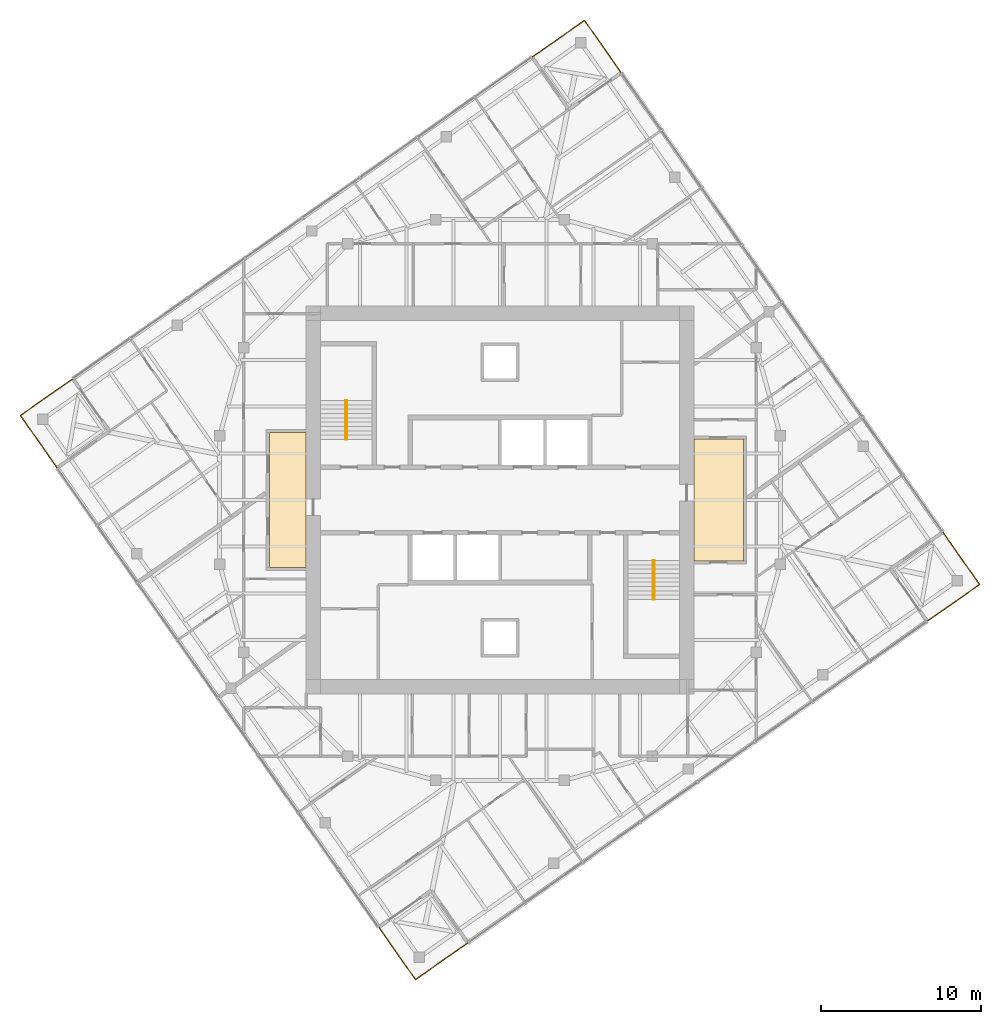
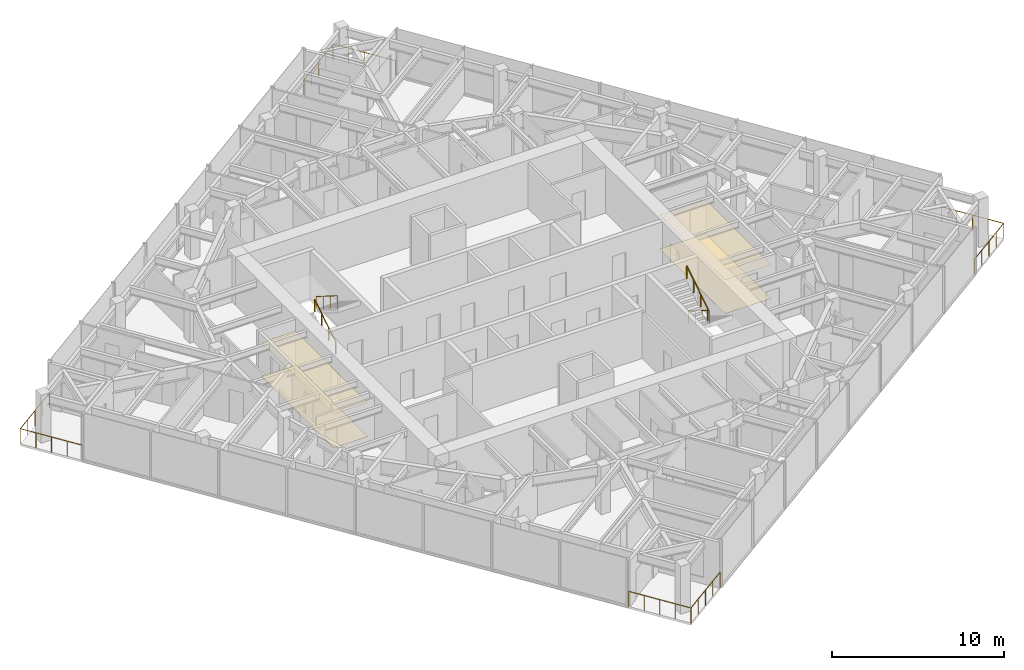
# One storey, part 12 of 12: 8 railings, 4 coverings, 2 elements without a shape of their own.
"""IFC4 building model written with IfcOpenShell, lengths in metres."""

from ifc_helpers import new_model, si_unit, direction, frame, origin, origin_2d, place, context, subcontext, project, spatial, polyline, circle, outline, extrude, material, layer, layer_set, type_object, element, aggregate, save


model = new_model("IFC4")

# Units and contexts
model_context = context("Model", 3, precision=1e-05, world=origin(), true_north=direction((0.0, 1.0)))
body_context = subcontext(model_context, "Body", "Model", "MODEL_VIEW")
ifc_project = project(units=[si_unit("LENGTHUNIT", "METRE"), si_unit("AREAUNIT", "SQUARE_METRE"), si_unit("VOLUMEUNIT", "CUBIC_METRE"), si_unit("PLANEANGLEUNIT", "RADIAN"), si_unit("MASSUNIT", "GRAM", prefix="KILO")], contexts=[model_context])

# Site, building, storey
site_placement = place(None, origin())
site = spatial("IfcSite", under=ifc_project, at=site_placement, CompositionType="ELEMENT")
building_placement = place(site_placement, origin())
building = spatial("IfcBuilding", under=site, at=building_placement, Name="Torsade Residences", CompositionType="ELEMENT")
storey_placement = place(building_placement, frame((0.0, 0.0, 250.60009765625)))
storey = spatial("IfcBuildingStorey", under=building, at=storey_placement, Name="L69", CompositionType="ELEMENT", Elevation=250.60009765625)

# Coverings
ifc_material_1 = material(Name="Nylon carpet tile on underlay", Category="textile")
ifc_layer_1 = layer(ifc_material_1, 0.010009765625)
ifc_layer_set_1 = layer_set([ifc_layer_1], Name="Nylon carpet tile on underlay")
covering_type_1 = type_object("IfcCoveringType", Name="CORRIDOR CARPET TILE 10", PredefinedType="FLOORING", material=ifc_layer_set_1)
covering_1_placement = place(storey_placement, origin())
element("IfcCovering", 1, at=covering_1_placement, inside=storey, type_object=covering_type_1, Name="Corridor carpet L69", PredefinedType="FLOORING", context=body_context, shape_type="SweptSolid", body=[
    extrude(outline(polyline([(55.199951171875, 26.199951171875), (55.199951171875, 33.800048828125), (52.10009765625, 33.800048828125), (52.10009765625, 26.199951171875), (55.199951171875, 26.199951171875)])), origin(), (0.0, 0.0, 1.0), 0.010009765625),
])
covering_2_placement = place(storey_placement, origin())
element("IfcCovering", 2, at=covering_2_placement, inside=storey, type_object=covering_type_1, Name="Corridor carpet west L69", PredefinedType="FLOORING", context=body_context, shape_type="SweptSolid", body=[
    extrude(outline(polyline([(27.89990234375, 25.800048828125), (27.89990234375, 34.199951171875), (25.60009765625, 34.199951171875), (25.60009765625, 25.800048828125), (27.89990234375, 25.800048828125)])), origin(), (0.0, 0.0, 1.0), 0.010009765625),
])
ifc_material_2 = material(Name="Plasterboard on suspended steel grid", Category="steel")
ifc_layer_2 = layer(ifc_material_2, 0.012939453125)
ifc_layer_set_2 = layer_set([ifc_layer_2], Name="Plasterboard on suspended steel grid")
covering_type_2 = type_object("IfcCoveringType", Name="CORRIDOR SUSPENDED CEILING 13", PredefinedType="CEILING", material=ifc_layer_set_2)
covering_3_placement = place(storey_placement, frame((0.0, 0.0, 2.39990234375)))
element("IfcCovering", 3, at=covering_3_placement, inside=storey, type_object=covering_type_2, Name="Corridor ceiling L69", PredefinedType="CEILING", context=body_context, shape_type="SweptSolid", body=[
    extrude(outline(polyline([(55.199951171875, 26.199951171875), (55.199951171875, 33.800048828125), (52.10009765625, 33.800048828125), (52.10009765625, 26.199951171875), (55.199951171875, 26.199951171875)])), origin(), (0.0, 0.0, 1.0), 0.012939453125),
])
covering_4_placement = place(storey_placement, frame((0.0, 0.0, 2.39990234375)))
element("IfcCovering", 4, at=covering_4_placement, inside=storey, type_object=covering_type_2, Name="Corridor ceiling west L69", PredefinedType="CEILING", context=body_context, shape_type="SweptSolid", body=[
    extrude(outline(polyline([(27.89990234375, 25.800048828125), (27.89990234375, 34.199951171875), (25.60009765625, 34.199951171875), (25.60009765625, 25.800048828125), (27.89990234375, 25.800048828125)])), origin(), (0.0, 0.0, 1.0), 0.012939453125),
])

# Stair, railings
ifc_material_3 = material(Name="Precast concrete 40 MPa", Category="concrete")
stair_type = type_object("IfcStairType", Name="HALF-TURN FIRE STAIR 1500x3400", PredefinedType="HALF_TURN_STAIR", material=ifc_material_3)
stair_1_placement = place(storey_placement, origin())
stair_1 = element("IfcStair", 5, at=stair_1_placement, inside=storey, type_object=stair_type, Name="Stair ST1 L69", PredefinedType="HALF_TURN_STAIR")
ifc_material_4 = material(Name="Steel handrail", Category="steel")
railing_type_1 = type_object("IfcRailingType", Name="STAIR HANDRAIL 900", PredefinedType="HANDRAIL", material=ifc_material_4)
railing_1_placement = place(storey_placement, frame((30.35009765625, 33.780029296875, 0.169921875)))
railing_1 = element("IfcRailing", 6, at=railing_1_placement, type_object=railing_type_1, Name="Handrail ST1 flight 1 L69", PredefinedType="HANDRAIL", context=body_context, shape_type="SweptSolid", body=[
    extrude(circle(Radius=0.02392578125, at=origin_2d()), frame((0.0, 0.0, 0.8759765625), z_axis=(0.0, 0.846221481393, 0.532831309544), x_axis=(-1.0, 0.0, 0.0)), (0.0, 0.0, 1.0), 2.87158203125),
    extrude(circle(Radius=0.02099609375, at=origin_2d()), origin(), (0.0, 0.0, 1.0), 0.851806640625),
    extrude(circle(Radius=0.02099609375, at=origin_2d()), frame((0.0, 0.81005859375, 0.510009765625)), (0.0, 0.0, 1.0), 0.851806640625),
    extrude(circle(Radius=0.02099609375, at=origin_2d()), frame((0.0, 1.619873046875, 1.02001953125)), (0.0, 0.0, 1.0), 0.851806640625),
    extrude(circle(Radius=0.02099609375, at=origin_2d()), frame((0.0, 2.429931640625, 1.530029296875)), (0.0, 0.0, 1.0), 0.851806640625),
])
railing_2_placement = place(storey_placement, frame((30.449951171875, 36.2099609375, 1.869873046875)))
railing_2 = element("IfcRailing", 7, at=railing_2_placement, type_object=railing_type_1, Name="Handrail ST1 flight 2 L69", PredefinedType="HANDRAIL", context=body_context, shape_type="SweptSolid", body=[
    extrude(circle(Radius=0.02392578125, at=origin_2d()), frame((0.0, 0.0, 0.8759765625), z_axis=(0.0, -0.846221481393, 0.532831309544), x_axis=(1.0, 0.0, 0.0)), (0.0, 0.0, 1.0), 2.87158203125),
    extrude(circle(Radius=0.02099609375, at=origin_2d()), origin(), (0.0, 0.0, 1.0), 0.851806640625),
    extrude(circle(Radius=0.02099609375, at=origin_2d()), frame((0.0, -0.81005859375, 0.510009765625)), (0.0, 0.0, 1.0), 0.851806640625),
    extrude(circle(Radius=0.02099609375, at=origin_2d()), frame((0.0, -1.619873046875, 1.02001953125)), (0.0, 0.0, 1.0), 0.851806640625),
    extrude(circle(Radius=0.02099609375, at=origin_2d()), frame((0.0, -2.429931640625, 1.530029296875)), (0.0, 0.0, 1.0), 0.851806640625),
])
aggregate(stair_1, [railing_1, railing_2])

stair_2_placement = place(storey_placement, origin())
stair_2 = element("IfcStair", 8, at=stair_2_placement, inside=storey, type_object=stair_type, Name="Stair ST2 L69", PredefinedType="HALF_TURN_STAIR")
railing_3_placement = place(storey_placement, frame((49.64990234375, 26.219970703125, 0.169921875)))
railing_3 = element("IfcRailing", 9, at=railing_3_placement, type_object=railing_type_1, Name="Handrail ST2 flight 1 L69", PredefinedType="HANDRAIL", context=body_context, shape_type="SweptSolid", body=[
    extrude(circle(Radius=0.02392578125, at=origin_2d()), frame((0.0, 0.0, 0.8759765625), z_axis=(0.0, -0.846221481393, 0.532831309544), x_axis=(1.0, 0.0, 0.0)), (0.0, 0.0, 1.0), 2.87158203125),
    extrude(circle(Radius=0.02099609375, at=origin_2d()), origin(), (0.0, 0.0, 1.0), 0.851806640625),
    extrude(circle(Radius=0.02099609375, at=origin_2d()), frame((0.0, -0.81005859375, 0.510009765625)), (0.0, 0.0, 1.0), 0.851806640625),
    extrude(circle(Radius=0.02099609375, at=origin_2d()), frame((0.0, -1.619873046875, 1.02001953125)), (0.0, 0.0, 1.0), 0.851806640625),
    extrude(circle(Radius=0.02099609375, at=origin_2d()), frame((0.0, -2.429931640625, 1.530029296875)), (0.0, 0.0, 1.0), 0.851806640625),
])
railing_4_placement = place(storey_placement, frame((49.550048828125, 23.7900390625, 1.869873046875)))
railing_4 = element("IfcRailing", 10, at=railing_4_placement, type_object=railing_type_1, Name="Handrail ST2 flight 2 L69", PredefinedType="HANDRAIL", context=body_context, shape_type="SweptSolid", body=[
    extrude(circle(Radius=0.02392578125, at=origin_2d()), frame((0.0, 0.0, 0.8759765625), z_axis=(0.0, 0.846221481393, 0.532831309544), x_axis=(-1.0, 0.0, 0.0)), (0.0, 0.0, 1.0), 2.87158203125),
    extrude(circle(Radius=0.02099609375, at=origin_2d()), origin(), (0.0, 0.0, 1.0), 0.851806640625),
    extrude(circle(Radius=0.02099609375, at=origin_2d()), frame((0.0, 0.81005859375, 0.510009765625)), (0.0, 0.0, 1.0), 0.851806640625),
    extrude(circle(Radius=0.02099609375, at=origin_2d()), frame((0.0, 1.619873046875, 1.02001953125)), (0.0, 0.0, 1.0), 0.851806640625),
    extrude(circle(Radius=0.02099609375, at=origin_2d()), frame((0.0, 2.429931640625, 1.530029296875)), (0.0, 0.0, 1.0), 0.851806640625),
])
aggregate(stair_2, [railing_3, railing_4])

# Railings
ifc_material_5 = material(Name="Laminated glass balustrade", Category="glass")
railing_type_2 = type_object("IfcRailingType", Name="TERRACE GLASS BALUSTRADE 1100", PredefinedType="BALUSTRADE", material=ifc_material_5)
railing_5_placement = place(storey_placement, frame((66.6669921875, 22.42578125, 0.0)))
element("IfcRailing", 11, at=railing_5_placement, inside=storey, type_object=railing_type_2, Name="Terrace balustrade SE L69", PredefinedType="BALUSTRADE", context=body_context, shape_type="SweptSolid", body=[
    extrude(circle(Radius=0.02392578125, at=origin_2d()), frame((0.0, 0.0, 1.076171875), z_axis=(0.819137286189, 0.573597512525, 0.0), x_axis=(-0.573597512525, 0.819137286189, 0.0)), (0.0, 0.0, 1.0), 4.0),
    extrude(circle(Radius=0.02392578125, at=origin_2d()), frame((3.276611328125, 2.29443359375, 1.076171875), z_axis=(-0.573556557423, 0.819165963305, 0.0), x_axis=(-0.819165963305, -0.573556557423, 0.0)), (0.0, 0.0, 1.0), 4.0),
    extrude(circle(Radius=0.02099609375, at=origin_2d()), origin(), (0.0, 0.0, 1.0), 1.052001953125),
    extrude(circle(Radius=0.02099609375, at=origin_2d()), frame((0.819091796875, 0.57373046875, 0.0)), (0.0, 0.0, 1.0), 1.052001953125),
    extrude(circle(Radius=0.02099609375, at=origin_2d()), frame((1.63818359375, 1.147216796875, 0.0)), (0.0, 0.0, 1.0), 1.052001953125),
    extrude(circle(Radius=0.02099609375, at=origin_2d()), frame((2.45751953125, 1.720703125, 0.0)), (0.0, 0.0, 1.0), 1.052001953125),
    extrude(circle(Radius=0.02099609375, at=origin_2d()), frame((3.276611328125, 2.29443359375, 0.0)), (0.0, 0.0, 1.0), 1.052001953125),
    extrude(circle(Radius=0.02099609375, at=origin_2d()), frame((2.703125, 3.113525390625, 0.0)), (0.0, 0.0, 1.0), 1.052001953125),
    extrude(circle(Radius=0.02099609375, at=origin_2d()), frame((2.12939453125, 3.9326171875, 0.0)), (0.0, 0.0, 1.0), 1.052001953125),
    extrude(circle(Radius=0.02099609375, at=origin_2d()), frame((1.555908203125, 4.751953125, 0.0)), (0.0, 0.0, 1.0), 1.052001953125),
    extrude(circle(Radius=0.02099609375, at=origin_2d()), frame((0.982421875, 5.571044921875, 0.0)), (0.0, 0.0, 1.0), 1.052001953125),
])
railing_6_placement = place(storey_placement, frame((47.57421875, 56.6669921875, 0.0)))
element("IfcRailing", 12, at=railing_6_placement, inside=storey, type_object=railing_type_2, Name="Terrace balustrade NE L69", PredefinedType="BALUSTRADE", context=body_context, shape_type="SweptSolid", body=[
    extrude(circle(Radius=0.02392578125, at=origin_2d()), frame((0.0, 0.0, 1.076171875), z_axis=(-0.573597512525, 0.819137286189, 0.0), x_axis=(-0.819137286189, -0.573597512525, 0.0)), (0.0, 0.0, 1.0), 4.0),
    extrude(circle(Radius=0.02392578125, at=origin_2d()), frame((-2.29443359375, 3.276611328125, 1.076171875), z_axis=(-0.819165963305, -0.573556557423, 0.0), x_axis=(0.573556557423, -0.819165963305, 0.0)), (0.0, 0.0, 1.0), 4.0),
    extrude(circle(Radius=0.02099609375, at=origin_2d()), origin(), (0.0, 0.0, 1.0), 1.052001953125),
    extrude(circle(Radius=0.02099609375, at=origin_2d()), frame((-0.57373046875, 0.819091796875, 0.0)), (0.0, 0.0, 1.0), 1.052001953125),
    extrude(circle(Radius=0.02099609375, at=origin_2d()), frame((-1.147216796875, 1.63818359375, 0.0)), (0.0, 0.0, 1.0), 1.052001953125),
    extrude(circle(Radius=0.02099609375, at=origin_2d()), frame((-1.720703125, 2.45751953125, 0.0)), (0.0, 0.0, 1.0), 1.052001953125),
    extrude(circle(Radius=0.02099609375, at=origin_2d()), frame((-2.29443359375, 3.276611328125, 0.0)), (0.0, 0.0, 1.0), 1.052001953125),
    extrude(circle(Radius=0.02099609375, at=origin_2d()), frame((-3.113525390625, 2.703125, 0.0)), (0.0, 0.0, 1.0), 1.052001953125),
    extrude(circle(Radius=0.02099609375, at=origin_2d()), frame((-3.9326171875, 2.12939453125, 0.0)), (0.0, 0.0, 1.0), 1.052001953125),
    extrude(circle(Radius=0.02099609375, at=origin_2d()), frame((-4.751953125, 1.555908203125, 0.0)), (0.0, 0.0, 1.0), 1.052001953125),
    extrude(circle(Radius=0.02099609375, at=origin_2d()), frame((-5.571044921875, 0.982421875, 0.0)), (0.0, 0.0, 1.0), 1.052001953125),
])
railing_7_placement = place(storey_placement, frame((13.3330078125, 37.57421875, 0.0)))
element("IfcRailing", 13, at=railing_7_placement, inside=storey, type_object=railing_type_2, Name="Terrace balustrade NW L69", PredefinedType="BALUSTRADE", context=body_context, shape_type="SweptSolid", body=[
    extrude(circle(Radius=0.02392578125, at=origin_2d()), frame((0.0, 0.0, 1.076171875), z_axis=(-0.819137286189, -0.573597512525, 0.0), x_axis=(0.573597512525, -0.819137286189, 0.0)), (0.0, 0.0, 1.0), 4.0),
    extrude(circle(Radius=0.02392578125, at=origin_2d()), frame((-3.276611328125, -2.29443359375, 1.076171875), z_axis=(0.573556557423, -0.819165963305, 0.0), x_axis=(0.819165963305, 0.573556557423, 0.0)), (0.0, 0.0, 1.0), 4.0),
    extrude(circle(Radius=0.02099609375, at=origin_2d()), origin(), (0.0, 0.0, 1.0), 1.052001953125),
    extrude(circle(Radius=0.02099609375, at=origin_2d()), frame((-0.819091796875, -0.57373046875, 0.0)), (0.0, 0.0, 1.0), 1.052001953125),
    extrude(circle(Radius=0.02099609375, at=origin_2d()), frame((-1.63818359375, -1.147216796875, 0.0)), (0.0, 0.0, 1.0), 1.052001953125),
    extrude(circle(Radius=0.02099609375, at=origin_2d()), frame((-2.45751953125, -1.720703125, 0.0)), (0.0, 0.0, 1.0), 1.052001953125),
    extrude(circle(Radius=0.02099609375, at=origin_2d()), frame((-3.276611328125, -2.29443359375, 0.0)), (0.0, 0.0, 1.0), 1.052001953125),
    extrude(circle(Radius=0.02099609375, at=origin_2d()), frame((-2.703125, -3.113525390625, 0.0)), (0.0, 0.0, 1.0), 1.052001953125),
    extrude(circle(Radius=0.02099609375, at=origin_2d()), frame((-2.12939453125, -3.9326171875, 0.0)), (0.0, 0.0, 1.0), 1.052001953125),
    extrude(circle(Radius=0.02099609375, at=origin_2d()), frame((-1.555908203125, -4.751953125, 0.0)), (0.0, 0.0, 1.0), 1.052001953125),
    extrude(circle(Radius=0.02099609375, at=origin_2d()), frame((-0.982421875, -5.571044921875, 0.0)), (0.0, 0.0, 1.0), 1.052001953125),
])
railing_8_placement = place(storey_placement, frame((32.42578125, 3.3330078125, 0.0)))
element("IfcRailing", 14, at=railing_8_placement, inside=storey, type_object=railing_type_2, Name="Terrace balustrade SW L69", PredefinedType="BALUSTRADE", context=body_context, shape_type="SweptSolid", body=[
    extrude(circle(Radius=0.02392578125, at=origin_2d()), frame((0.0, 0.0, 1.076171875), z_axis=(0.573597512525, -0.819137286189, 0.0), x_axis=(0.819137286189, 0.573597512525, 0.0)), (0.0, 0.0, 1.0), 4.0),
    extrude(circle(Radius=0.02392578125, at=origin_2d()), frame((2.29443359375, -3.276611328125, 1.076171875), z_axis=(0.819165963305, 0.573556557423, 0.0), x_axis=(-0.573556557423, 0.819165963305, 0.0)), (0.0, 0.0, 1.0), 4.0),
    extrude(circle(Radius=0.02099609375, at=origin_2d()), origin(), (0.0, 0.0, 1.0), 1.052001953125),
    extrude(circle(Radius=0.02099609375, at=origin_2d()), frame((0.57373046875, -0.819091796875, 0.0)), (0.0, 0.0, 1.0), 1.052001953125),
    extrude(circle(Radius=0.02099609375, at=origin_2d()), frame((1.147216796875, -1.63818359375, 0.0)), (0.0, 0.0, 1.0), 1.052001953125),
    extrude(circle(Radius=0.02099609375, at=origin_2d()), frame((1.720703125, -2.45751953125, 0.0)), (0.0, 0.0, 1.0), 1.052001953125),
    extrude(circle(Radius=0.02099609375, at=origin_2d()), frame((2.29443359375, -3.276611328125, 0.0)), (0.0, 0.0, 1.0), 1.052001953125),
    extrude(circle(Radius=0.02099609375, at=origin_2d()), frame((3.113525390625, -2.703125, 0.0)), (0.0, 0.0, 1.0), 1.052001953125),
    extrude(circle(Radius=0.02099609375, at=origin_2d()), frame((3.9326171875, -2.12939453125, 0.0)), (0.0, 0.0, 1.0), 1.052001953125),
    extrude(circle(Radius=0.02099609375, at=origin_2d()), frame((4.751953125, -1.555908203125, 0.0)), (0.0, 0.0, 1.0), 1.052001953125),
    extrude(circle(Radius=0.02099609375, at=origin_2d()), frame((5.571044921875, -0.982421875, 0.0)), (0.0, 0.0, 1.0), 1.052001953125),
])

save(model, "model.ifc")
